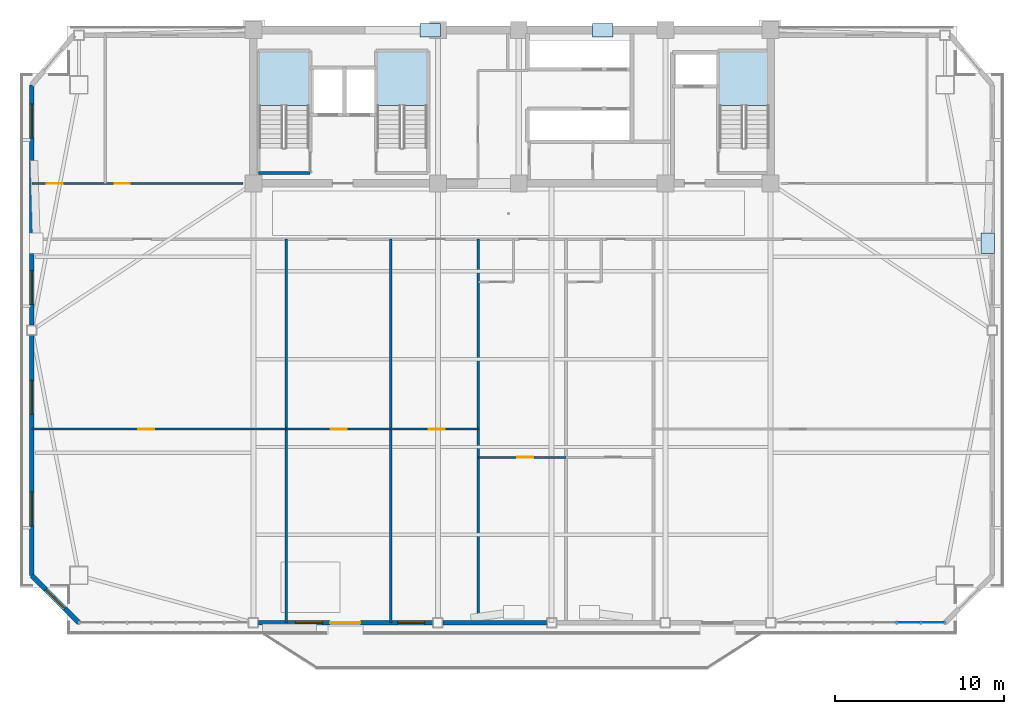
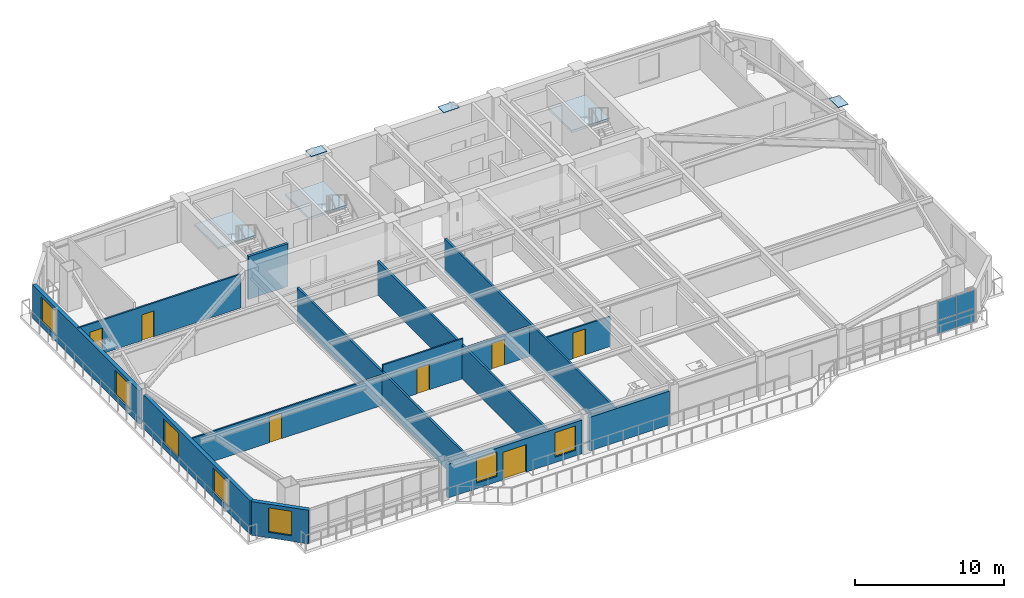
# One storey, part 8 of 17: 14 walls, 7 doors, 7 plates, 7 windows, 3 slabs, 14 openings, 4 elements without a shape of their own.
"""IFC4 building model written with IfcOpenShell, lengths in metres."""

from ifc_helpers import new_model, si_unit, direction, frame, frame_2d, origin, origin_2d, place, context, subcontext, project, spatial, polyline, rectangle, outline, extrude, source, transform, mapped, material, layer, layer_set, type_object, element, fill, aggregate, save


model = new_model("IFC4")

# Units and contexts
model_context = context("Model", 3, precision=1e-05, world=origin(), true_north=direction((0.0, 1.0)))
body_context = subcontext(model_context, "Body", "Model", "MODEL_VIEW")
ifc_project = project(units=[si_unit("LENGTHUNIT", "METRE"), si_unit("AREAUNIT", "SQUARE_METRE"), si_unit("VOLUMEUNIT", "CUBIC_METRE"), si_unit("PLANEANGLEUNIT", "RADIAN"), si_unit("MASSUNIT", "GRAM", prefix="KILO")], contexts=[model_context])

# Site, building, storey
site_placement = place(None, origin())
site = spatial("IfcSite", under=ifc_project, at=site_placement, CompositionType="ELEMENT")
building_placement = place(site_placement, origin())
building = spatial("IfcBuilding", under=site, at=building_placement, Name="Giltprow Tower", CompositionType="ELEMENT")
storey_placement = place(building_placement, frame((0.0, 0.0, 206.199951171875)))
storey = spatial("IfcBuildingStorey", under=building, at=storey_placement, Name="L52", CompositionType="ELEMENT", Elevation=206.199951171875)

# Stair, slab
ifc_material_1 = material(Name="Concrete C40", Category="concrete")
stair_type_1 = type_object("IfcStairType", Name="STR-ST-1", PredefinedType="HALF_TURN_STAIR", material=ifc_material_1)
stair_1_placement = place(storey_placement, origin())
stair_1 = element("IfcStair", 1, at=stair_1_placement, inside=storey, type_object=stair_type_1, Name="L52 Core Exit Stair ST-1", PredefinedType="HALF_TURN_STAIR")
ifc_layer_1 = layer(ifc_material_1, 0.179931640625, Name="Concrete C40")
ifc_layer_set_1 = layer_set([ifc_layer_1], Name="Concrete C40")
slab_type_1 = type_object("IfcSlabType", Name="SLD-ST-1", PredefinedType="LANDING", material=ifc_layer_set_1)
slab_1_placement = place(storey_placement, frame((0.0, 0.0, 1.570068359375)))
slab_1 = element("IfcSlab", 2, at=slab_1_placement, type_object=slab_type_1, Name="ST-1 landing 1", PredefinedType="LANDING", context=body_context, shape_type="SweptSolid", body=[
    extrude(outline(polyline([(23.159912109375, 42.070068359375), (23.159912109375, 45.25), (20.199951171875, 45.25), (20.199951171875, 42.070068359375), (23.159912109375, 42.070068359375)])), origin(), (0.0, 0.0, 1.0), 0.179931640625),
])
aggregate(stair_1, [slab_1])

stair_type_2 = type_object("IfcStairType", Name="STR-ST-2", PredefinedType="HALF_TURN_STAIR", material=ifc_material_1)
stair_2_placement = place(storey_placement, origin())
stair_2 = element("IfcStair", 3, at=stair_2_placement, inside=storey, type_object=stair_type_2, Name="L52 Core Exit Stair ST-2", PredefinedType="HALF_TURN_STAIR")
ifc_layer_2 = layer(ifc_material_1, 0.18798828125, Name="Concrete C40")
ifc_layer_set_2 = layer_set([ifc_layer_2], Name="Concrete C40")
slab_type_2 = type_object("IfcSlabType", Name="SLD-ST-2", PredefinedType="LANDING", material=ifc_layer_set_2)
slab_2_placement = place(storey_placement, frame((0.0, 0.0, 1.56201171875)))
slab_2 = element("IfcSlab", 4, at=slab_2_placement, type_object=slab_type_2, Name="ST-2 landing 1", PredefinedType="LANDING", context=body_context, shape_type="SweptSolid", body=[
    extrude(outline(polyline([(30.159912109375, 42.070068359375), (30.159912109375, 45.25), (27.199951171875, 45.25), (27.199951171875, 42.070068359375), (30.159912109375, 42.070068359375)])), origin(), (0.0, 0.0, 1.0), 0.18798828125),
])
aggregate(stair_2, [slab_2])

stair_type_3 = type_object("IfcStairType", Name="STR-ST-3", PredefinedType="HALF_TURN_STAIR", material=ifc_material_1)
stair_3_placement = place(storey_placement, origin())
stair_3 = element("IfcStair", 5, at=stair_3_placement, inside=storey, type_object=stair_type_3, Name="L52 Core Exit Stair ST-3", PredefinedType="HALF_TURN_STAIR")
ifc_layer_3 = layer(ifc_material_1, 0.196044921875, Name="Concrete C40")
ifc_layer_set_3 = layer_set([ifc_layer_3], Name="Concrete C40")
slab_type_3 = type_object("IfcSlabType", Name="SLD-ST-3", PredefinedType="LANDING", material=ifc_layer_set_3)
slab_3_placement = place(storey_placement, frame((0.0, 0.0, 1.553955078125)))
slab_3 = element("IfcSlab", 6, at=slab_3_placement, type_object=slab_type_3, Name="ST-3 landing 1", PredefinedType="LANDING", context=body_context, shape_type="SweptSolid", body=[
    extrude(outline(polyline([(50.4599609375, 42.070068359375), (50.4599609375, 45.25), (47.5, 45.25), (47.5, 42.070068359375), (50.4599609375, 42.070068359375)])), origin(), (0.0, 0.0, 1.0), 0.196044921875),
])
aggregate(stair_3, [slab_3])

# Plates
ifc_material_2 = material(Name="Structural steel Q420GJC", Category="steel")
plate_type_1 = type_object("IfcPlateType", Name="PLT-CAP-SEAL", PredefinedType="USERDEFINED", material=ifc_material_2)
shared_shape_1 = source(origin(), body_context, "Body", "SweptSolid", [
    extrude(rectangle(XDim=1.199951171875, YDim=0.800048828125, at=origin_2d()), origin(), (0.0, 0.0, 1.0), 0.034912109375),
])
for number, where, z_axis, x_axis, name in (
    (7, (30.35009765625, 46.550048828125, 3.3427734375), (0.0, 0.0, 1.0), (1.0, 0.0, 0.0), "Mega-Brace Node L52-N-LB"),
    (8, (40.5830078125, 46.550048828125, 3.3427734375), (0.0, 0.0, 1.0), (1.0, 0.0, 0.0), "Mega-Brace Node L52-N-RB"),
    (9, (63.4208984375, 33.906005859375, 3.482421875), (0.0, 0.0, 1.0), (0.0, 1.0, 0.0), "Mega-Brace Node L52-E-RB"),
):
    element("IfcPlate", number, at=place(storey_placement, frame(where, z_axis=z_axis, x_axis=x_axis)), inside=storey, type_object=plate_type_1, Name=name, ObjectType="SPLICE", PredefinedType="USERDEFINED", context=body_context, shape_type="MappedRepresentation", body=[
        mapped(shared_shape_1, transform((0.0, 0.0, 0.0), x_axis=(1.0, 0.0, 0.0), y_axis=(0.0, 1.0, 0.0), z_axis=(0.0, 0.0, 1.0), scale=1.0)),
    ])

# Curtain wall, plates
ifc_material_3 = material(Name="Anodized bronze", Category="metal")
ifc_layer_4 = layer(ifc_material_3, 0.179931640625, Name="Anodized bronze")
ifc_layer_set_4 = layer_set([ifc_layer_4], Name="Anodized bronze")
curtain_wall_type = type_object("IfcCurtainWallType", Name="CW-HTL-BRONZE", PredefinedType="NOTDEFINED", material=ifc_layer_set_4)
curtain_wall_placement = place(storey_placement, origin())
curtain_wall = element("IfcCurtainWall", 10, at=curtain_wall_placement, inside=storey, type_object=curtain_wall_type, Name="L52 South Recessed Curtain Wall 6", PredefinedType="NOTDEFINED")
ifc_material_4 = material(Name="Insulated glass", Category="glass")
plate_type_2 = type_object("IfcPlateType", Name="CW-PANEL-IGU-28", PredefinedType="CURTAIN_PANEL", material=ifc_material_4)
shared_shape_2 = source(origin(), body_context, "Body", "SweptSolid", [
    extrude(rectangle(XDim=1.405029296875, YDim=0.028076171875, at=origin_2d()), origin(), (0.0, 0.0, 1.0), 1.0869140625),
])
plate_1_placement = place(storey_placement, frame((58.7451171875, 11.385986328125, 0.0546875), z_axis=(0.0, 0.0, 1.0), x_axis=(1.0, 0.0, 0.0)))
plate_1 = element("IfcPlate", 11, at=plate_1_placement, type_object=plate_type_2, Name="L52 South Recessed Curtain Wall 6 Glazing Panel 6-1", PredefinedType="CURTAIN_PANEL", context=body_context, shape_type="MappedRepresentation", body=[
    mapped(shared_shape_2, transform((0.0, 0.0, 0.0), x_axis=(1.0, 0.0, 0.0), y_axis=(0.0, 1.0, 0.0), z_axis=(0.0, 0.0, 1.0), scale=1.0)),
])
plate_2_placement = place(storey_placement, frame((60.179931640625, 11.385986328125, 0.0546875), z_axis=(0.0, 0.0, 1.0), x_axis=(1.0, 0.0, 0.0)))
plate_2 = element("IfcPlate", 12, at=plate_2_placement, type_object=plate_type_2, Name="L52 South Recessed Curtain Wall 6 Glazing Panel 7-1", PredefinedType="CURTAIN_PANEL", context=body_context, shape_type="MappedRepresentation", body=[
    mapped(shared_shape_2, transform((0.0, 0.0, 0.0), x_axis=(1.0, 0.0, 0.0), y_axis=(0.0, 1.0, 0.0), z_axis=(0.0, 0.0, 1.0), scale=1.0)),
])
shared_shape_3 = source(origin(), body_context, "Body", "SweptSolid", [
    extrude(rectangle(XDim=1.405029296875, YDim=0.028076171875, at=origin_2d()), origin(), (0.0, 0.0, 1.0), 1.527099609375),
])
plate_3_placement = place(storey_placement, frame((58.7451171875, 11.385986328125, 1.16845703125), z_axis=(0.0, 0.0, 1.0), x_axis=(1.0, 0.0, 0.0)))
plate_3 = element("IfcPlate", 13, at=plate_3_placement, type_object=plate_type_2, Name="L52 South Recessed Curtain Wall 6 Glazing Panel 6-2", PredefinedType="CURTAIN_PANEL", context=body_context, shape_type="MappedRepresentation", body=[
    mapped(shared_shape_3, transform((0.0, 0.0, 0.0), x_axis=(1.0, 0.0, 0.0), y_axis=(0.0, 1.0, 0.0), z_axis=(0.0, 0.0, 1.0), scale=1.0)),
])
plate_4_placement = place(storey_placement, frame((60.179931640625, 11.385986328125, 1.16845703125), z_axis=(0.0, 0.0, 1.0), x_axis=(1.0, 0.0, 0.0)))
plate_4 = element("IfcPlate", 14, at=plate_4_placement, type_object=plate_type_2, Name="L52 South Recessed Curtain Wall 6 Glazing Panel 7-2", PredefinedType="CURTAIN_PANEL", context=body_context, shape_type="MappedRepresentation", body=[
    mapped(shared_shape_3, transform((0.0, 0.0, 0.0), x_axis=(1.0, 0.0, 0.0), y_axis=(0.0, 1.0, 0.0), z_axis=(0.0, 0.0, 1.0), scale=1.0)),
])
aggregate(curtain_wall, [plate_1, plate_3, plate_2, plate_4])

# Wall, opening, window
ifc_material_5 = material(Name="Precast concrete C40", Category="concrete")
ifc_layer_5 = layer(ifc_material_5, 0.300048828125, Name="Precast concrete C40")
ifc_layer_set_5 = layer_set([ifc_layer_5], Name="Precast concrete C40")
wall_type_1 = type_object("IfcWallType", Name="EW-NOTCH-CHAMFER-300", PredefinedType="SOLIDWALL", material=ifc_layer_set_5)
wall_1_placement = place(storey_placement, frame((6.702880859375, 14.18603515625, 0.0), z_axis=(0.0, 0.0, 1.0), x_axis=(0.707106781187, -0.707106781187, 0.0)))
wall_1 = element("IfcWall", 15, at=wall_1_placement, inside=storey, type_object=wall_type_1, Name="L52 Corner Notch Wall SW", PredefinedType="SOLIDWALL", context=body_context, shape_type="SweptSolid", body=[
    extrude(rectangle(XDim=3.9599609375, YDim=0.300048828125, at=frame_2d((1.97998046875, 0.0))), origin(), (0.0, 0.0, 1.0), 2.75),
])
opening_1_placement = place(wall_1_placement, frame((1.179931640625, 0.0, 0.449951171875)))
opening_1 = element("IfcOpeningElement", 16, at=opening_1_placement, cuts=wall_1, Name="Opening WN17", PredefinedType="OPENING", context=body_context, shape_type="SweptSolid", body=[
    extrude(rectangle(XDim=1.60009765625, YDim=2.0, at=frame_2d((0.800048828125, 1.0))), frame((0.0, 0.159912109375, 0.0), z_axis=(0.0, -1.0, 0.0), x_axis=(1.0, 0.0, 0.0)), (0.0, 0.0, 1.0), 0.320068359375),
])
window_type_1 = type_object("IfcWindowType", Name="WN-COR-1600x2000", PartitioningType="SINGLE_PANEL", PredefinedType="WINDOW", material=ifc_material_4)
shared_shape_4 = source(origin(), body_context, "Body", "SweptSolid", [
    extrude(rectangle(XDim=1.60009765625, YDim=2.0, at=frame_2d((0.800048828125, 1.0))), frame((0.0, 0.030029296875, 0.0), z_axis=(0.0, -1.0, 0.0), x_axis=(1.0, 0.0, 0.0)), (0.0, 0.0, 1.0), 0.06005859375),
])
window_1_placement = place(opening_1_placement, origin())
window_1 = element("IfcWindow", 17, at=window_1_placement, inside=storey, type_object=window_type_1, Name="L52 Corner Notch Window SW", OverallHeight=2.0, OverallWidth=1.60009765625, PartitioningType="SINGLE_PANEL", PredefinedType="WINDOW", context=body_context, shape_type="MappedRepresentation", body=[
    mapped(shared_shape_4, transform((0.0, 0.0, 0.0), x_axis=(1.0, 0.0, 0.0), y_axis=(0.0, 1.0, 0.0), z_axis=(0.0, 0.0, 1.0), scale=1.0)),
])
fill(opening_1, window_1)

# Wall, openings, windows, door
ifc_layer_6 = layer(ifc_material_5, 0.280029296875, Name="Precast concrete C40")
ifc_layer_set_6 = layer_set([ifc_layer_6], Name="Precast concrete C40")
wall_type_2 = type_object("IfcWallType", Name="EW-TOW-BRONZE-280", PredefinedType="SOLIDWALL", material=ifc_layer_set_6)
wall_2_placement = place(storey_placement, frame((20.14990234375, 11.385986328125, 0.0), z_axis=(0.0, 0.0, 1.0), x_axis=(1.0, 0.0, 0.0)))
wall_2 = element("IfcWall", 18, at=wall_2_placement, inside=storey, type_object=wall_type_2, Name="L52 South Expressed Frame Wall 2", PredefinedType="SOLIDWALL", context=body_context, shape_type="SweptSolid", body=[
    extrude(rectangle(XDim=10.35009765625, YDim=0.280029296875, at=frame_2d((5.175048828125, 0.0))), origin(), (0.0, 0.0, 1.0), 2.75),
])
opening_2_placement = place(wall_2_placement, frame((4.25, 0.0, 0.0)))
opening_2 = element("IfcOpeningElement", 19, at=opening_2_placement, cuts=wall_2, Name="Opening ED25", PredefinedType="OPENING", context=body_context, shape_type="SweptSolid", body=[
    extrude(rectangle(XDim=1.800048828125, YDim=2.25, at=frame_2d((0.89990234375, 1.125))), frame((0.0, 0.14990234375, 0.0), z_axis=(0.0, -1.0, 0.0), x_axis=(1.0, 0.0, 0.0)), (0.0, 0.0, 1.0), 0.300048828125),
])
opening_3_placement = place(wall_2_placement, frame((2.205078125, 0.0, 0.449951171875)))
opening_3 = element("IfcOpeningElement", 20, at=opening_3_placement, cuts=wall_2, Name="Opening WN17", PredefinedType="OPENING", context=body_context, shape_type="SweptSolid", body=[
    extrude(rectangle(XDim=1.60009765625, YDim=2.0, at=frame_2d((0.800048828125, 1.0))), frame((0.0, 0.14990234375, 0.0), z_axis=(0.0, -1.0, 0.0), x_axis=(1.0, 0.0, 0.0)), (0.0, 0.0, 1.0), 0.300048828125),
])
opening_4_placement = place(wall_2_placement, frame((8.27001953125, 0.0, 0.449951171875)))
opening_4 = element("IfcOpeningElement", 21, at=opening_4_placement, cuts=wall_2, Name="Opening WN17", PredefinedType="OPENING", context=body_context, shape_type="SweptSolid", body=[
    extrude(rectangle(XDim=1.60009765625, YDim=2.0, at=frame_2d((0.800048828125, 1.0))), frame((0.0, 0.14990234375, 0.0), z_axis=(0.0, -1.0, 0.0), x_axis=(1.0, 0.0, 0.0)), (0.0, 0.0, 1.0), 0.300048828125),
])
window_2_placement = place(opening_3_placement, origin())
window_2 = element("IfcWindow", 22, at=window_2_placement, inside=storey, type_object=window_type_1, Name="L52 South Window 2A", OverallHeight=2.0, OverallWidth=1.60009765625, PartitioningType="SINGLE_PANEL", PredefinedType="WINDOW", context=body_context, shape_type="MappedRepresentation", body=[
    mapped(shared_shape_4, transform((0.0, 0.0, 0.0), x_axis=(1.0, 0.0, 0.0), y_axis=(0.0, 1.0, 0.0), z_axis=(0.0, 0.0, 1.0), scale=1.0)),
])
fill(opening_3, window_2)
window_3_placement = place(opening_4_placement, origin())
window_3 = element("IfcWindow", 23, at=window_3_placement, inside=storey, type_object=window_type_1, Name="L52 South Window 2B", OverallHeight=2.0, OverallWidth=1.60009765625, PartitioningType="SINGLE_PANEL", PredefinedType="WINDOW", context=body_context, shape_type="MappedRepresentation", body=[
    mapped(shared_shape_4, transform((0.0, 0.0, 0.0), x_axis=(1.0, 0.0, 0.0), y_axis=(0.0, 1.0, 0.0), z_axis=(0.0, 0.0, 1.0), scale=1.0)),
])
fill(opening_4, window_3)
ifc_material_6 = material(Name="Anodized bronze and glass", Category="glass")
door_type_1 = type_object("IfcDoorType", Name="DR-BALC-SLIDE-1800", OperationType="SLIDING_TO_LEFT", PredefinedType="DOOR", material=ifc_material_6)
shared_shape_5 = source(origin(), body_context, "Body", "SweptSolid", [
    extrude(rectangle(XDim=1.800048828125, YDim=2.25, at=frame_2d((0.89990234375, 1.125))), frame((0.0, 0.02490234375, 0.0), z_axis=(0.0, -1.0, 0.0), x_axis=(1.0, 0.0, 0.0)), (0.0, 0.0, 1.0), 0.050048828125),
])
door_1_placement = place(opening_2_placement, origin())
door_1 = element("IfcDoor", 24, at=door_1_placement, inside=storey, type_object=door_type_1, Name="L52 Waterfront Balcony Sliding Door 1", OperationType="SLIDING_TO_LEFT", OverallHeight=2.25, OverallWidth=1.800048828125, PredefinedType="DOOR", context=body_context, shape_type="MappedRepresentation", body=[
    mapped(shared_shape_5, transform((0.0, 0.0, 0.0), x_axis=(1.0, 0.0, 0.0), y_axis=(0.0, 1.0, 0.0), z_axis=(0.0, 0.0, 1.0), scale=1.0)),
])
fill(opening_2, door_1)

# Wall
wall_3_placement = place(storey_placement, frame((31.10009765625, 11.385986328125, 0.0), z_axis=(0.0, 0.0, 1.0), x_axis=(1.0, 0.0, 0.0)))
element("IfcWall", 25, at=wall_3_placement, inside=storey, type_object=wall_type_2, Name="L52 South Expressed Frame Wall 3", PredefinedType="SOLIDWALL", context=body_context, shape_type="SweptSolid", body=[
    extrude(rectangle(XDim=6.14990234375, YDim=0.280029296875, at=frame_2d((3.074951171875, 0.0))), origin(), (0.0, 0.0, 1.0), 2.75),
])

# Wall, openings, windows
wall_4_placement = place(storey_placement, frame((6.702880859375, 14.18603515625, 0.0), z_axis=(0.0, 0.0, 1.0), x_axis=(0.0, 1.0, 0.0)))
wall_4 = element("IfcWall", 26, at=wall_4_placement, inside=storey, type_object=wall_type_2, Name="L52 W Wing Masonry Wall 1", PredefinedType="SOLIDWALL", context=body_context, shape_type="SweptSolid", body=[
    extrude(rectangle(XDim=14.257080078125, YDim=0.280029296875, at=frame_2d((7.12841796875, 0.0))), origin(), (0.0, 0.0, 1.0), 2.75),
])
opening_5_placement = place(wall_4_placement, frame((2.947021484375, 0.0, 0.449951171875)))
opening_5 = element("IfcOpeningElement", 27, at=opening_5_placement, cuts=wall_4, Name="Opening WN21", PredefinedType="OPENING", context=body_context, shape_type="SweptSolid", body=[
    extrude(rectangle(XDim=2.0, YDim=2.0, at=frame_2d((1.0, 1.0))), frame((0.0, 0.14990234375, 0.0), z_axis=(0.0, -1.0, 0.0), x_axis=(1.0, 0.0, 0.0)), (0.0, 0.0, 1.0), 0.300048828125),
])
opening_6_placement = place(wall_4_placement, frame((9.574951171875, 0.0, 0.449951171875)))
opening_6 = element("IfcOpeningElement", 28, at=opening_6_placement, cuts=wall_4, Name="Opening WN21", PredefinedType="OPENING", context=body_context, shape_type="SweptSolid", body=[
    extrude(rectangle(XDim=2.0, YDim=2.0, at=frame_2d((1.0, 1.0))), frame((0.0, 0.14990234375, 0.0), z_axis=(0.0, -1.0, 0.0), x_axis=(1.0, 0.0, 0.0)), (0.0, 0.0, 1.0), 0.300048828125),
])
window_type_2 = type_object("IfcWindowType", Name="WN-HTL-2000x2000", PartitioningType="DOUBLE_PANEL_VERTICAL", PredefinedType="WINDOW", material=ifc_material_4)
shared_shape_6 = source(origin(), body_context, "Body", "SweptSolid", [
    extrude(rectangle(XDim=2.0, YDim=2.0, at=frame_2d((1.0, 1.0))), frame((0.0, 0.030029296875, 0.0), z_axis=(0.0, -1.0, 0.0), x_axis=(1.0, 0.0, 0.0)), (0.0, 0.0, 1.0), 0.06005859375),
])
window_4_placement = place(opening_5_placement, origin())
window_4 = element("IfcWindow", 29, at=window_4_placement, inside=storey, type_object=window_type_2, Name="L52 W Wing Window 1-1A", OverallHeight=2.0, OverallWidth=2.0, PartitioningType="SINGLE_PANEL", PredefinedType="WINDOW", context=body_context, shape_type="MappedRepresentation", body=[
    mapped(shared_shape_6, transform((0.0, 0.0, 0.0), x_axis=(1.0, 0.0, 0.0), y_axis=(0.0, 1.0, 0.0), z_axis=(0.0, 0.0, 1.0), scale=1.0)),
])
fill(opening_5, window_4)
window_5_placement = place(opening_6_placement, origin())
window_5 = element("IfcWindow", 30, at=window_5_placement, inside=storey, type_object=window_type_2, Name="L52 W Wing Window 1-1B", OverallHeight=2.0, OverallWidth=2.0, PartitioningType="SINGLE_PANEL", PredefinedType="WINDOW", context=body_context, shape_type="MappedRepresentation", body=[
    mapped(shared_shape_6, transform((0.0, 0.0, 0.0), x_axis=(1.0, 0.0, 0.0), y_axis=(0.0, 1.0, 0.0), z_axis=(0.0, 0.0, 1.0), scale=1.0)),
])
fill(opening_6, window_5)

wall_5_placement = place(storey_placement, frame((6.702880859375, 29.04296875, 0.0), z_axis=(0.0, 0.0, 1.0), x_axis=(0.0, 1.0, 0.0)))
wall_5 = element("IfcWall", 31, at=wall_5_placement, inside=storey, type_object=wall_type_2, Name="L52 W Wing Masonry Wall 2", PredefinedType="SOLIDWALL", context=body_context, shape_type="SweptSolid", body=[
    extrude(rectangle(XDim=14.257080078125, YDim=0.280029296875, at=frame_2d((7.12841796875, 0.0))), origin(), (0.0, 0.0, 1.0), 2.75),
])
opening_7_placement = place(wall_5_placement, frame((1.23193359375, 0.0, 0.449951171875)))
opening_7 = element("IfcOpeningElement", 32, at=opening_7_placement, cuts=wall_5, Name="Opening WN21", PredefinedType="OPENING", context=body_context, shape_type="SweptSolid", body=[
    extrude(rectangle(XDim=2.0, YDim=2.0, at=frame_2d((1.0, 1.0))), frame((0.0, 0.14990234375, 0.0), z_axis=(0.0, -1.0, 0.0), x_axis=(1.0, 0.0, 0.0)), (0.0, 0.0, 1.0), 0.300048828125),
])
opening_8_placement = place(wall_5_placement, frame((11.10791015625, 0.0, 0.449951171875)))
opening_8 = element("IfcOpeningElement", 33, at=opening_8_placement, cuts=wall_5, Name="Opening WN21", PredefinedType="OPENING", context=body_context, shape_type="SweptSolid", body=[
    extrude(rectangle(XDim=2.0, YDim=2.0, at=frame_2d((1.0, 1.0))), frame((0.0, 0.14990234375, 0.0), z_axis=(0.0, -1.0, 0.0), x_axis=(1.0, 0.0, 0.0)), (0.0, 0.0, 1.0), 0.300048828125),
])
window_6_placement = place(opening_7_placement, origin())
window_6 = element("IfcWindow", 34, at=window_6_placement, inside=storey, type_object=window_type_2, Name="L52 W Wing Window 2-1", OverallHeight=2.0, OverallWidth=2.0, PartitioningType="SINGLE_PANEL", PredefinedType="WINDOW", context=body_context, shape_type="MappedRepresentation", body=[
    mapped(shared_shape_6, transform((0.0, 0.0, 0.0), x_axis=(1.0, 0.0, 0.0), y_axis=(0.0, 1.0, 0.0), z_axis=(0.0, 0.0, 1.0), scale=1.0)),
])
fill(opening_7, window_6)
window_7_placement = place(opening_8_placement, origin())
window_7 = element("IfcWindow", 35, at=window_7_placement, inside=storey, type_object=window_type_2, Name="L52 W Wing Window 2-2", OverallHeight=2.0, OverallWidth=2.0, PartitioningType="SINGLE_PANEL", PredefinedType="WINDOW", context=body_context, shape_type="MappedRepresentation", body=[
    mapped(shared_shape_6, transform((0.0, 0.0, 0.0), x_axis=(1.0, 0.0, 0.0), y_axis=(0.0, 1.0, 0.0), z_axis=(0.0, 0.0, 1.0), scale=1.0)),
])
fill(opening_8, window_7)

# Walls
ifc_material_7 = material(Name="Gypsum stud partition", Category="gypsum")
ifc_layer_7 = layer(ifc_material_7, 0.159912109375, Name="Gypsum stud partition")
ifc_layer_set_7 = layer_set([ifc_layer_7], Name="Gypsum stud partition")
wall_type_3 = type_object("IfcWallType", Name="IW-DEMISE-160", PredefinedType="PARTITIONING", material=ifc_layer_set_7)
for number, where, z_axis, x_axis, name in (
    (36, (21.800048828125, 11.385986328125, 0.0), (0.0, 0.0, 1.0), (0.0, 1.0, 0.0), "L52 Hotel Demising Wall 1"),
    (37, (28.0, 11.385986328125, 0.0), (0.0, 0.0, 1.0), (0.0, 1.0, 0.0), "L52 Hotel Demising Wall 2"),
    (38, (33.199951171875, 11.385986328125, 0.0), (0.0, 0.0, 1.0), (0.0, 1.0, 0.0), "L52 Hotel Demising Wall 3"),
):
    element("IfcWall", number, at=place(storey_placement, frame(where, z_axis=z_axis, x_axis=x_axis)), inside=storey, type_object=wall_type_3, Name=name, PredefinedType="PARTITIONING", context=body_context, shape_type="SweptSolid", body=[
        extrude(rectangle(XDim=22.763916015625, YDim=0.159912109375, at=frame_2d((11.3818359375, 0.0))), origin(), (0.0, 0.0, 1.0), 2.755126953125),
    ])

# Wall, opening, door
ifc_layer_8 = layer(ifc_material_7, 0.1201171875, Name="Gypsum stud partition")
ifc_layer_set_8 = layer_set([ifc_layer_8], Name="Gypsum stud partition")
wall_type_4 = type_object("IfcWallType", Name="IW-ROOM-120", PredefinedType="PARTITIONING", material=ifc_layer_set_8)
wall_6_placement = place(storey_placement, frame((6.702880859375, 22.867919921875, 0.0), z_axis=(0.0, 0.0, 1.0), x_axis=(1.0, 0.0, 0.0)))
wall_6 = element("IfcWall", 39, at=wall_6_placement, inside=storey, type_object=wall_type_4, Name="L52 Amenity Mid Wall 1", PredefinedType="PARTITIONING", context=body_context, shape_type="SweptSolid", body=[
    extrude(rectangle(XDim=15.09716796875, YDim=0.1201171875, at=frame_2d((7.548583984375, 0.0))), origin(), (0.0, 0.0, 1.0), 2.455078125),
])
opening_9_placement = place(wall_6_placement, frame((6.324951171875, 0.0, 0.0)))
opening_9 = element("IfcOpeningElement", 40, at=opening_9_placement, cuts=wall_6, Name="Opening ID11", PredefinedType="OPENING", context=body_context, shape_type="SweptSolid", body=[
    extrude(rectangle(XDim=0.949951171875, YDim=2.10009765625, at=frame_2d((0.47509765625, 1.050048828125))), frame((0.0, 0.070068359375, 0.0), z_axis=(0.0, -1.0, 0.0), x_axis=(1.0, 0.0, 0.0)), (0.0, 0.0, 1.0), 0.14013671875),
])
ifc_material_8 = material(Name="Engineered timber", Category="wood")
door_type_2 = type_object("IfcDoorType", Name="DR-ROOM-950", OperationType="SINGLE_SWING_RIGHT", PredefinedType="DOOR", material=ifc_material_8)
shared_shape_7 = source(origin(), body_context, "Body", "SweptSolid", [
    extrude(rectangle(XDim=0.949951171875, YDim=2.10009765625, at=frame_2d((0.47509765625, 1.050048828125))), frame((0.0, 0.02490234375, 0.0), z_axis=(0.0, -1.0, 0.0), x_axis=(1.0, 0.0, 0.0)), (0.0, 0.0, 1.0), 0.050048828125),
])
door_2_placement = place(opening_9_placement, origin())
door_2 = element("IfcDoor", 41, at=door_2_placement, inside=storey, type_object=door_type_2, Name="L52 Linen Supply Store 1 Inner Door", OperationType="SINGLE_SWING_RIGHT", OverallHeight=2.10009765625, OverallWidth=0.949951171875, PredefinedType="DOOR", context=body_context, shape_type="MappedRepresentation", body=[
    mapped(shared_shape_7, transform((0.0, 0.0, 0.0), x_axis=(1.0, 0.0, 0.0), y_axis=(0.0, 1.0, 0.0), z_axis=(0.0, 0.0, 1.0), scale=1.0)),
])
fill(opening_9, door_2)

wall_7_placement = place(storey_placement, frame((21.800048828125, 22.867919921875, 0.0), z_axis=(0.0, 0.0, 1.0), x_axis=(1.0, 0.0, 0.0)))
wall_7 = element("IfcWall", 42, at=wall_7_placement, inside=storey, type_object=wall_type_4, Name="L52 Amenity Mid Wall 2", PredefinedType="PARTITIONING", context=body_context, shape_type="SweptSolid", body=[
    extrude(rectangle(XDim=6.199951171875, YDim=0.1201171875, at=frame_2d((3.10009765625, 0.0))), origin(), (0.0, 0.0, 1.0), 3.27001953125),
])
opening_10_placement = place(wall_7_placement, frame((2.64599609375, 0.0, 0.0)))
opening_10 = element("IfcOpeningElement", 43, at=opening_10_placement, cuts=wall_7, Name="Opening ID11", PredefinedType="OPENING", context=body_context, shape_type="SweptSolid", body=[
    extrude(rectangle(XDim=0.949951171875, YDim=2.10009765625, at=frame_2d((0.47509765625, 1.050048828125))), frame((0.0, 0.070068359375, 0.0), z_axis=(0.0, -1.0, 0.0), x_axis=(1.0, 0.0, 0.0)), (0.0, 0.0, 1.0), 0.14013671875),
])
door_3_placement = place(opening_10_placement, origin())
door_3 = element("IfcDoor", 44, at=door_3_placement, inside=storey, type_object=door_type_2, Name="L52 Silverware Vault Store 2 Inner Door", OperationType="SINGLE_SWING_RIGHT", OverallHeight=2.10009765625, OverallWidth=0.949951171875, PredefinedType="DOOR", context=body_context, shape_type="MappedRepresentation", body=[
    mapped(shared_shape_7, transform((0.0, 0.0, 0.0), x_axis=(1.0, 0.0, 0.0), y_axis=(0.0, 1.0, 0.0), z_axis=(0.0, 0.0, 1.0), scale=1.0)),
])
fill(opening_10, door_3)

wall_8_placement = place(storey_placement, frame((28.0, 22.867919921875, 0.0), z_axis=(0.0, 0.0, 1.0), x_axis=(1.0, 0.0, 0.0)))
wall_8 = element("IfcWall", 45, at=wall_8_placement, inside=storey, type_object=wall_type_4, Name="L52 Amenity Mid Wall 3", PredefinedType="PARTITIONING", context=body_context, shape_type="SweptSolid", body=[
    extrude(rectangle(XDim=5.199951171875, YDim=0.1201171875, at=frame_2d((2.60009765625, 0.0))), origin(), (0.0, 0.0, 1.0), 2.455078125),
])
opening_11_placement = place(wall_8_placement, frame((2.24609375, 0.0, 0.0)))
opening_11 = element("IfcOpeningElement", 46, at=opening_11_placement, cuts=wall_8, Name="Opening ID11", PredefinedType="OPENING", context=body_context, shape_type="SweptSolid", body=[
    extrude(rectangle(XDim=0.949951171875, YDim=2.10009765625, at=frame_2d((0.47509765625, 1.050048828125))), frame((0.0, 0.070068359375, 0.0), z_axis=(0.0, -1.0, 0.0), x_axis=(1.0, 0.0, 0.0)), (0.0, 0.0, 1.0), 0.14013671875),
])
door_4_placement = place(opening_11_placement, origin())
door_4 = element("IfcDoor", 47, at=door_4_placement, inside=storey, type_object=door_type_2, Name="L52 Luggage Trunk Store 3 Inner Door", OperationType="SINGLE_SWING_RIGHT", OverallHeight=2.10009765625, OverallWidth=0.949951171875, PredefinedType="DOOR", context=body_context, shape_type="MappedRepresentation", body=[
    mapped(shared_shape_7, transform((0.0, 0.0, 0.0), x_axis=(1.0, 0.0, 0.0), y_axis=(0.0, 1.0, 0.0), z_axis=(0.0, 0.0, 1.0), scale=1.0)),
])
fill(opening_11, door_4)

wall_9_placement = place(storey_placement, frame((33.199951171875, 21.193115234375, 0.0), z_axis=(0.0, 0.0, 1.0), x_axis=(1.0, 0.0, 0.0)))
wall_9 = element("IfcWall", 48, at=wall_9_placement, inside=storey, type_object=wall_type_4, Name="L52 Suite Parlour Divider 4", PredefinedType="PARTITIONING", context=body_context, shape_type="SweptSolid", body=[
    extrude(rectangle(XDim=5.199951171875, YDim=0.1201171875, at=frame_2d((2.60009765625, 0.0))), origin(), (0.0, 0.0, 1.0), 2.455078125),
])
opening_12_placement = place(wall_9_placement, frame((2.324951171875, 0.0, 0.0)))
opening_12 = element("IfcOpeningElement", 49, at=opening_12_placement, cuts=wall_9, Name="Opening ID11", PredefinedType="OPENING", context=body_context, shape_type="SweptSolid", body=[
    extrude(rectangle(XDim=0.949951171875, YDim=2.10009765625, at=frame_2d((0.47509765625, 1.050048828125))), frame((0.0, 0.070068359375, 0.0), z_axis=(0.0, -1.0, 0.0), x_axis=(1.0, 0.0, 0.0)), (0.0, 0.0, 1.0), 0.14013671875),
])
door_5_placement = place(opening_12_placement, origin())
door_5 = element("IfcDoor", 50, at=door_5_placement, inside=storey, type_object=door_type_2, Name="L52 Harbour Parlour 4 Door", OperationType="SINGLE_SWING_LEFT", OverallHeight=2.10009765625, OverallWidth=0.949951171875, PredefinedType="DOOR", context=body_context, shape_type="MappedRepresentation", body=[
    mapped(shared_shape_7, transform((0.0, 0.0, 0.0), x_axis=(1.0, 0.0, 0.0), y_axis=(0.0, 1.0, 0.0), z_axis=(0.0, 0.0, 1.0), scale=1.0)),
])
fill(opening_12, door_5)

# Wall
ifc_layer_9 = layer(ifc_material_1, 0.199951171875, Name="Concrete C40")
ifc_layer_set_9 = layer_set([ifc_layer_9], Name="Concrete C40")
wall_type_5 = type_object("IfcWallType", Name="IW-STAIR-200", PredefinedType="SOLIDWALL", material=ifc_layer_set_9)
wall_10_placement = place(storey_placement, frame((20.169921875, 38.070068359375, 0.0), z_axis=(0.0, 0.0, 1.0), x_axis=(1.0, 0.0, 0.0)))
element("IfcWall", 51, at=wall_10_placement, inside=storey, type_object=wall_type_5, Name="L52 Stair ST-1 South Bearing Wall", PredefinedType="SOLIDWALL", context=body_context, shape_type="SweptSolid", body=[
    extrude(rectangle(XDim=3.050048828125, YDim=0.199951171875, at=frame_2d((1.52490234375, 0.0))), origin(), (0.0, 0.0, 1.0), 3.5),
])

# Wall, openings, doors
ifc_material_9 = material(Name="Concrete C30", Category="concrete")
ifc_layer_10 = layer(ifc_material_9, 0.1298828125, Name="Concrete C30")
ifc_layer_set_10 = layer_set([ifc_layer_10], Name="Concrete C30")
wall_type_6 = type_object("IfcWallType", Name="IW-WET-130", PredefinedType="PARTITIONING", material=ifc_layer_set_10)
wall_11_placement = place(storey_placement, frame((6.702880859375, 37.449951171875, 0.0), z_axis=(0.0, 0.0, 1.0), x_axis=(1.0, 0.0, 0.0)))
wall_11 = element("IfcWall", 52, at=wall_11_placement, inside=storey, type_object=wall_type_6, Name="L52 NW Wing South Wall", PredefinedType="PARTITIONING", context=body_context, shape_type="SweptSolid", body=[
    extrude(rectangle(XDim=12.547119140625, YDim=0.1298828125, at=frame_2d((6.2734375, 0.0))), origin(), (0.0, 0.0, 1.0), 2.755126953125),
])
opening_13_placement = place(wall_11_placement, frame((0.89990234375, 0.0, 0.0)))
opening_13 = element("IfcOpeningElement", 53, at=opening_13_placement, cuts=wall_11, Name="Opening ID11", PredefinedType="OPENING", context=body_context, shape_type="SweptSolid", body=[
    extrude(rectangle(XDim=0.949951171875, YDim=2.10009765625, at=frame_2d((0.47509765625, 1.050048828125))), frame((0.0, 0.074951171875, 0.0), z_axis=(0.0, -1.0, 0.0), x_axis=(1.0, 0.0, 0.0)), (0.0, 0.0, 1.0), 0.14990234375),
])
opening_14_placement = place(wall_11_placement, frame((4.9140625, 0.0, 0.0)))
opening_14 = element("IfcOpeningElement", 54, at=opening_14_placement, cuts=wall_11, Name="Opening ID15", PredefinedType="OPENING", context=body_context, shape_type="SweptSolid", body=[
    extrude(rectangle(XDim=0.89990234375, YDim=2.10009765625, at=frame_2d((0.449951171875, 1.050048828125))), frame((0.0, 0.074951171875, 0.0), z_axis=(0.0, -1.0, 0.0), x_axis=(1.0, 0.0, 0.0)), (0.0, 0.0, 1.0), 0.14990234375),
])
door_type_3 = type_object("IfcDoorType", Name="DR-WC-900", OperationType="SINGLE_SWING_LEFT", PredefinedType="DOOR", material=ifc_material_8)
shared_shape_8 = source(origin(), body_context, "Body", "SweptSolid", [
    extrude(rectangle(XDim=0.89990234375, YDim=2.10009765625, at=frame_2d((0.449951171875, 1.050048828125))), frame((0.0, 0.02490234375, 0.0), z_axis=(0.0, -1.0, 0.0), x_axis=(1.0, 0.0, 0.0)), (0.0, 0.0, 1.0), 0.050048828125),
])
door_6_placement = place(opening_14_placement, origin())
door_6 = element("IfcDoor", 55, at=door_6_placement, inside=storey, type_object=door_type_3, Name="L52 NW Washroom Door", OperationType="SINGLE_SWING_RIGHT", OverallHeight=2.10009765625, OverallWidth=0.89990234375, PredefinedType="DOOR", context=body_context, shape_type="MappedRepresentation", body=[
    mapped(shared_shape_8, transform((0.0, 0.0, 0.0), x_axis=(1.0, 0.0, 0.0), y_axis=(0.0, 1.0, 0.0), z_axis=(0.0, 0.0, 1.0), scale=1.0)),
])
fill(opening_14, door_6)
door_7_placement = place(opening_13_placement, origin())
door_7 = element("IfcDoor", 56, at=door_7_placement, inside=storey, type_object=door_type_2, Name="L52 Hotel Floor Butler Office West Door", OperationType="SINGLE_SWING_LEFT", OverallHeight=2.10009765625, OverallWidth=0.949951171875, PredefinedType="DOOR", context=body_context, shape_type="MappedRepresentation", body=[
    mapped(shared_shape_7, transform((0.0, 0.0, 0.0), x_axis=(1.0, 0.0, 0.0), y_axis=(0.0, 1.0, 0.0), z_axis=(0.0, 0.0, 1.0), scale=1.0)),
])
fill(opening_13, door_7)

save(model, "model.ifc")
